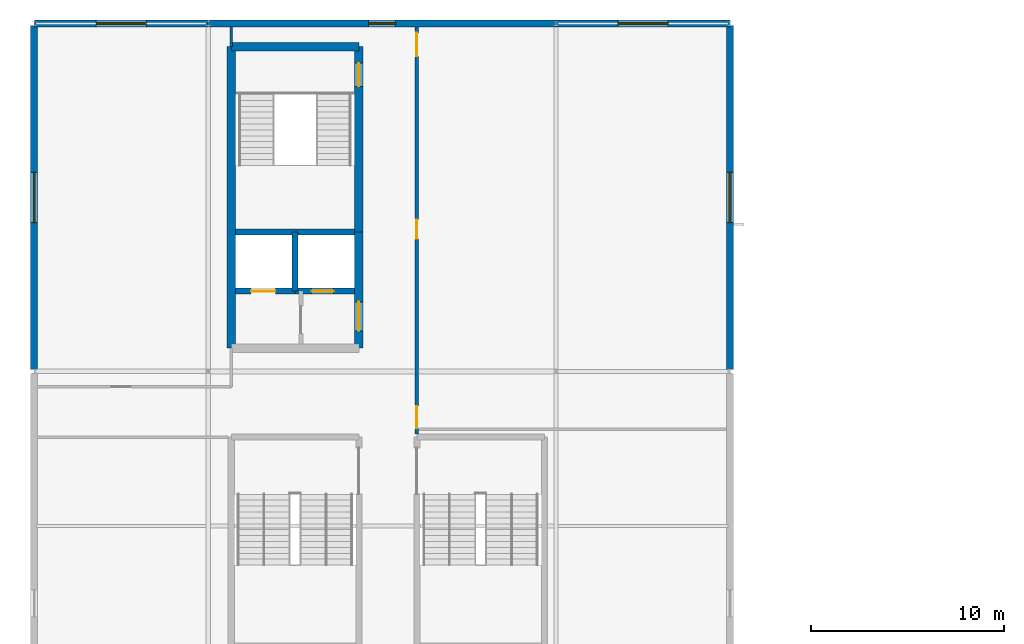
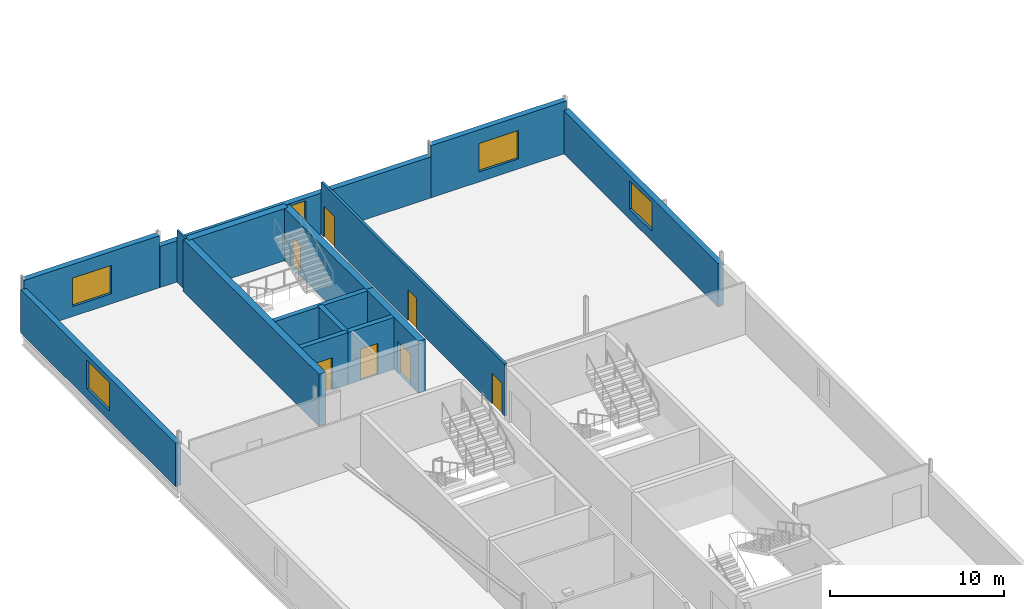
# One storey, part 21 of 35: 15 walls, 7 doors, 5 windows, 12 openings.
"""IFC4 building model written with IfcOpenShell, lengths in metres."""

from ifc_helpers import new_model, si_unit, direction, frame, frame_2d, origin, place, context, subcontext, project, spatial, rectangle, extrude, material, layer, layer_set, type_object, element, fill, save


model = new_model("IFC4")

# Units and contexts
model_context = context("Model", 3, precision=1e-05, world=origin(), true_north=direction((0.0, 1.0)))
body_context = subcontext(model_context, "Body", "Model", "MODEL_VIEW")
ifc_project = project(units=[si_unit("LENGTHUNIT", "METRE"), si_unit("AREAUNIT", "SQUARE_METRE"), si_unit("VOLUMEUNIT", "CUBIC_METRE"), si_unit("PLANEANGLEUNIT", "RADIAN"), si_unit("MASSUNIT", "GRAM", prefix="KILO")], contexts=[model_context])

# Site, building, storey
site_placement = place(None, origin())
site = spatial("IfcSite", under=ifc_project, at=site_placement, CompositionType="ELEMENT")
building_placement = place(site_placement, origin())
building = spatial("IfcBuilding", under=site, at=building_placement, Name="Kisiwana Market Hall", CompositionType="ELEMENT")
storey_placement = place(building_placement, frame((0.0, 0.0, 61.800048828125)))
storey = spatial("IfcBuildingStorey", under=building, at=storey_placement, Name="L14", CompositionType="ELEMENT", Elevation=61.800048828125)

# Walls
ifc_material_1 = material(Name="Concrete C40/50", Category="concrete")
ifc_layer_1 = layer(ifc_material_1, 0.320068359375, Name="Reinforced concrete shaft wall")
ifc_layer_set_1 = layer_set([ifc_layer_1], Name="WL-CORE-320")
wall_type_1 = type_object("IfcWallType", Name="WL-CORE-320", PredefinedType="SHEAR", material=ifc_layer_set_1)
wall_1_placement = place(storey_placement, frame((10.425048828125, 91.215087890625, 0.0), z_axis=(0.0, 0.0, 1.0), x_axis=(1.0, 0.0, 0.0)))
element("IfcWall", 1, at=wall_1_placement, inside=storey, type_object=wall_type_1, Name="Core W1 shaft back shear wall W-3213", PredefinedType="SHEAR", context=body_context, shape_type="SweptSolid", body=[
    extrude(rectangle(XDim=6.14990234375, YDim=0.320068359375, at=frame_2d((3.074951171875, 0.0))), origin(), (0.0, 0.0, 1.0), 3.655029296875),
])
wall_2_placement = place(storey_placement, frame((13.5, 88.155029296875, 0.0), z_axis=(0.0, 0.0, 1.0), x_axis=(0.0, 1.0, 0.0)))
element("IfcWall", 2, at=wall_2_placement, inside=storey, type_object=wall_type_1, Name="Core W1 inter-shaft shear wall W-3214", PredefinedType="SHEAR", context=body_context, shape_type="SweptSolid", body=[
    extrude(rectangle(XDim=3.06005859375, YDim=0.320068359375, at=frame_2d((1.530029296875, 0.0))), origin(), (0.0, 0.0, 1.0), 3.655029296875),
])

# Wall, opening, door
wall_3_placement = place(storey_placement, frame((10.425048828125, 88.155029296875, 0.0), z_axis=(0.0, 0.0, 1.0), x_axis=(1.0, 0.0, 0.0)))
wall_3 = element("IfcWall", 3, at=wall_3_placement, inside=storey, type_object=wall_type_1, Name="Core W1 west lift front wall W-3215", PredefinedType="SHEAR", context=body_context, shape_type="SweptSolid", body=[
    extrude(rectangle(XDim=3.074951171875, YDim=0.320068359375, at=frame_2d((1.53759765625, 0.0))), origin(), (0.0, 0.0, 1.0), 3.655029296875),
])
opening_1_placement = place(wall_3_placement, frame((0.800048828125, 0.0, 0.0)))
opening_1 = element("IfcOpeningElement", 4, at=opening_1_placement, cuts=wall_3, Name="Opening LD-L14-003", PredefinedType="OPENING", context=body_context, shape_type="SweptSolid", body=[
    extrude(rectangle(XDim=1.25, YDim=2.25, at=frame_2d((0.625, 1.125))), frame((0.0, 0.171875, 0.0), z_axis=(0.0, -1.0, 0.0), x_axis=(1.0, 0.0, 0.0)), (0.0, 0.0, 1.0), 0.343994140625),
])
ifc_material_2 = material(Name="Steel S275", Category="steel")
door_type_1 = type_object("IfcDoorType", Name="DR-LIFT-FFL-1250", OperationType="DOUBLE_DOOR_SLIDING", PredefinedType="DOOR", material=ifc_material_2)
door_1_placement = place(opening_1_placement, origin())
door_1 = element("IfcDoor", 5, at=door_1_placement, inside=storey, type_object=door_type_1, Name="Lift Landing Door FFL-02 (L14)", OperationType="DOUBLE_DOOR_SLIDING", OverallHeight=2.25, OverallWidth=1.25, PredefinedType="DOOR", context=body_context, shape_type="SweptSolid", body=[
    extrude(rectangle(XDim=1.25, YDim=2.25, at=frame_2d((0.625, 1.125))), frame((0.0, 0.02490234375, 0.0), z_axis=(0.0, -1.0, 0.0), x_axis=(1.0, 0.0, 0.0)), (0.0, 0.0, 1.0), 0.050048828125),
])
fill(opening_1, door_1)

wall_4_placement = place(storey_placement, frame((13.5, 88.155029296875, 0.0), z_axis=(0.0, 0.0, 1.0), x_axis=(1.0, 0.0, 0.0)))
wall_4 = element("IfcWall", 6, at=wall_4_placement, inside=storey, type_object=wall_type_1, Name="Core W1 east lift front wall W-3216", PredefinedType="SHEAR", context=body_context, shape_type="SweptSolid", body=[
    extrude(rectangle(XDim=3.074951171875, YDim=0.320068359375, at=frame_2d((1.53759765625, 0.0))), origin(), (0.0, 0.0, 1.0), 3.655029296875),
])
opening_2_placement = place(wall_4_placement, frame((0.85009765625, 0.0, 0.0)))
opening_2 = element("IfcOpeningElement", 7, at=opening_2_placement, cuts=wall_4, Name="Opening LD-L14-004", PredefinedType="OPENING", context=body_context, shape_type="SweptSolid", body=[
    extrude(rectangle(XDim=1.14990234375, YDim=2.199951171875, at=frame_2d((0.574951171875, 1.10009765625))), frame((0.0, 0.171875, 0.0), z_axis=(0.0, -1.0, 0.0), x_axis=(1.0, 0.0, 0.0)), (0.0, 0.0, 1.0), 0.343994140625),
])
ifc_material_3 = material(Name="Steel S275", Category="steel")
door_type_2 = type_object("IfcDoorType", Name="DR-LIFT-PAX-1150", OperationType="DOUBLE_DOOR_SLIDING", PredefinedType="DOOR", material=ifc_material_3)
door_2_placement = place(opening_2_placement, origin())
door_2 = element("IfcDoor", 8, at=door_2_placement, inside=storey, type_object=door_type_2, Name="Lift Landing Door LP-02 (L14)", OperationType="DOUBLE_DOOR_SLIDING", OverallHeight=2.199951171875, OverallWidth=1.14990234375, PredefinedType="DOOR", context=body_context, shape_type="SweptSolid", body=[
    extrude(rectangle(XDim=1.14990234375, YDim=2.199951171875, at=frame_2d((0.574951171875, 1.10009765625))), frame((0.0, 0.02490234375, 0.0), z_axis=(0.0, -1.0, 0.0), x_axis=(1.0, 0.0, 0.0)), (0.0, 0.0, 1.0), 0.050048828125),
])
fill(opening_2, door_2)

# Walls
ifc_material_4 = material(Name="Concrete C40/50", Category="concrete")
ifc_layer_2 = layer(ifc_material_4, 0.449951171875, Name="Reinforced concrete core wall")
ifc_layer_set_2 = layer_set([ifc_layer_2], Name="WL-CORE-450")
wall_type_2 = type_object("IfcWallType", Name="WL-CORE-450", PredefinedType="SHEAR", material=ifc_layer_set_2)
wall_5_placement = place(storey_placement, frame((10.199951171875, 100.800048828125, 0.0), z_axis=(0.0, 0.0, 1.0), x_axis=(1.0, 0.0, 0.0)))
element("IfcWall", 9, at=wall_5_placement, inside=storey, type_object=wall_type_2, Name="Core W1 north shear wall W-3209", PredefinedType="SHEAR", context=body_context, shape_type="SweptSolid", body=[
    extrude(rectangle(XDim=6.60009765625, YDim=0.449951171875, at=frame_2d((3.300048828125, 0.0))), origin(), (0.0, 0.0, 1.0), 3.655029296875),
])
wall_6_placement = place(storey_placement, frame((10.199951171875, 85.199951171875, 0.0), z_axis=(0.0, 0.0, 1.0), x_axis=(0.0, 1.0, 0.0)))
element("IfcWall", 10, at=wall_6_placement, inside=storey, type_object=wall_type_2, Name="Core W1 outer shear wall W-3210", PredefinedType="SHEAR", context=body_context, shape_type="SweptSolid", body=[
    extrude(rectangle(XDim=15.60009765625, YDim=0.449951171875, at=frame_2d((7.800048828125, 0.0))), origin(), (0.0, 0.0, 1.0), 3.655029296875),
])

# Wall, opening, door
wall_7_placement = place(storey_placement, frame((16.800048828125, 85.199951171875, 0.0), z_axis=(0.0, 0.0, 1.0), x_axis=(0.0, 1.0, 0.0)))
wall_7 = element("IfcWall", 11, at=wall_7_placement, inside=storey, type_object=wall_type_2, Name="Core W1 lobby corridor shear wall W-3211", PredefinedType="SHEAR", context=body_context, shape_type="SweptSolid", body=[
    extrude(rectangle(XDim=6.01513671875, YDim=0.449951171875, at=frame_2d((3.007568359375, 0.0))), origin(), (0.0, 0.0, 1.0), 3.655029296875),
])
opening_3_placement = place(wall_7_placement, frame((0.89990234375, 0.0, 0.0)))
opening_3 = element("IfcOpeningElement", 12, at=opening_3_placement, cuts=wall_7, Name="Opening DR-L14-004", PredefinedType="OPENING", context=body_context, shape_type="SweptSolid", body=[
    extrude(rectangle(XDim=1.5, YDim=2.199951171875, at=frame_2d((0.75, 1.10009765625))), frame((0.0, 0.23681640625, 0.0), z_axis=(0.0, -1.0, 0.0), x_axis=(1.0, 0.0, 0.0)), (0.0, 0.0, 1.0), 0.473876953125),
])
ifc_material_5 = material(Name="Steel S275", Category="steel")
door_type_3 = type_object("IfcDoorType", Name="DR-CORR-FD60-1500", OperationType="DOUBLE_DOOR_SINGLE_SWING", PredefinedType="DOOR", material=ifc_material_5)
door_3_placement = place(opening_3_placement, frame((1.5, 0.0, 0.0), z_axis=(0.0, 0.0, 1.0), x_axis=(-1.0, 0.0, 0.0)))
door_3 = element("IfcDoor", 13, at=door_3_placement, inside=storey, type_object=door_type_3, Name="Passenger Lift Lobby W1 Smoke Door (L14)", OperationType="DOUBLE_DOOR_SINGLE_SWING", OverallHeight=2.199951171875, OverallWidth=1.5, PredefinedType="DOOR", context=body_context, shape_type="SweptSolid", body=[
    extrude(rectangle(XDim=1.5, YDim=2.199951171875, at=frame_2d((0.75, 1.10009765625))), frame((0.0, 0.02490234375, 0.0), z_axis=(0.0, -1.0, 0.0), x_axis=(1.0, 0.0, 0.0)), (0.0, 0.0, 1.0), 0.050048828125),
])
fill(opening_3, door_3)

wall_8_placement = place(storey_placement, frame((16.800048828125, 91.215087890625, 0.0), z_axis=(0.0, 0.0, 1.0), x_axis=(0.0, 1.0, 0.0)))
wall_8 = element("IfcWall", 14, at=wall_8_placement, inside=storey, type_object=wall_type_2, Name="Core W1 stair corridor shear wall W-3212", PredefinedType="SHEAR", context=body_context, shape_type="SweptSolid", body=[
    extrude(rectangle(XDim=9.5849609375, YDim=0.449951171875, at=frame_2d((4.79248046875, 0.0))), origin(), (0.0, 0.0, 1.0), 3.655029296875),
])
opening_4_placement = place(wall_8_placement, frame((7.534912109375, 0.0, 0.0)))
opening_4 = element("IfcOpeningElement", 15, at=opening_4_placement, cuts=wall_8, Name="Opening DR-L14-005", PredefinedType="OPENING", context=body_context, shape_type="SweptSolid", body=[
    extrude(rectangle(XDim=1.199951171875, YDim=2.199951171875, at=frame_2d((0.60009765625, 1.10009765625))), frame((0.0, 0.23681640625, 0.0), z_axis=(0.0, -1.0, 0.0), x_axis=(1.0, 0.0, 0.0)), (0.0, 0.0, 1.0), 0.473876953125),
])
ifc_material_6 = material(Name="Steel S275", Category="steel")
door_type_4 = type_object("IfcDoorType", Name="DR-STAIR-FD120-1200", OperationType="NOTDEFINED", PredefinedType="DOOR", material=ifc_material_6)
door_4_placement = place(opening_4_placement, origin())
door_4 = element("IfcDoor", 16, at=door_4_placement, inside=storey, type_object=door_type_4, Name="Escape Stair W1 Fire Door (L14)", OperationType="SINGLE_SWING_RIGHT", OverallHeight=2.199951171875, OverallWidth=1.199951171875, PredefinedType="DOOR", context=body_context, shape_type="SweptSolid", body=[
    extrude(rectangle(XDim=1.199951171875, YDim=2.199951171875, at=frame_2d((0.60009765625, 1.10009765625))), frame((0.0, 0.02490234375, 0.0), z_axis=(0.0, -1.0, 0.0), x_axis=(1.0, 0.0, 0.0)), (0.0, 0.0, 1.0), 0.050048828125),
])
fill(opening_4, door_4)

# Wall, openings, doors
ifc_material_7 = material(Name="Masonry blockwork", Category="masonry")
ifc_layer_3 = layer(ifc_material_7, 0.169921875, Name="Protected corridor partition")
ifc_layer_set_3 = layer_set([ifc_layer_3], Name="WL-CORR-170")
wall_type_3 = type_object("IfcWallType", Name="WL-CORR-170", PredefinedType="PARTITIONING", material=ifc_layer_set_3)
wall_9_placement = place(storey_placement, frame((19.800048828125, 80.760009765625, 0.0), z_axis=(0.0, 0.0, 1.0), x_axis=(0.0, 1.0, 0.0)))
wall_9 = element("IfcWall", 17, at=wall_9_placement, inside=storey, type_object=wall_type_3, Name="Interior partition W-3331", PredefinedType="PARTITIONING", context=body_context, shape_type="SweptSolid", body=[
    extrude(rectangle(XDim=21.057373046875, YDim=0.169921875, at=frame_2d((10.52880859375, 0.0))), origin(), (0.0, 0.0, 1.0), 3.655029296875),
])
opening_5_placement = place(wall_9_placement, frame((10.10009765625, 0.0, 0.0)))
opening_5 = element("IfcOpeningElement", 18, at=opening_5_placement, cuts=wall_9, Name="Opening DR-L14-036", PredefinedType="OPENING", context=body_context, shape_type="SweptSolid", body=[
    extrude(rectangle(XDim=1.0, YDim=2.14990234375, at=frame_2d((0.5, 1.074951171875))), frame((0.0, 0.096923828125, 0.0), z_axis=(0.0, -1.0, 0.0), x_axis=(1.0, 0.0, 0.0)), (0.0, 0.0, 1.0), 0.19384765625),
])
opening_6_placement = place(wall_9_placement, frame((0.300048828125, 0.0, 0.0)))
opening_6 = element("IfcOpeningElement", 19, at=opening_6_placement, cuts=wall_9, Name="Opening DR-L14-037", PredefinedType="OPENING", context=body_context, shape_type="SweptSolid", body=[
    extrude(rectangle(XDim=1.14990234375, YDim=2.14990234375, at=frame_2d((0.574951171875, 1.074951171875))), frame((0.0, 0.096923828125, 0.0), z_axis=(0.0, -1.0, 0.0), x_axis=(1.0, 0.0, 0.0)), (0.0, 0.0, 1.0), 0.19384765625),
])
opening_7_placement = place(wall_9_placement, frame((19.5380859375, 0.0, 0.0)))
opening_7 = element("IfcOpeningElement", 20, at=opening_7_placement, cuts=wall_9, Name="Opening DR-L14-038", PredefinedType="OPENING", context=body_context, shape_type="SweptSolid", body=[
    extrude(rectangle(XDim=1.219970703125, YDim=2.14990234375, at=frame_2d((0.60986328125, 1.074951171875))), frame((0.0, 0.096923828125, 0.0), z_axis=(0.0, -1.0, 0.0), x_axis=(1.0, 0.0, 0.0)), (0.0, 0.0, 1.0), 0.19384765625),
])
ifc_material_8 = material(Name="Aluminium alloy 6063-T6", Category="aluminium")
door_type_5 = type_object("IfcDoorType", Name="DR-MEET-1150", OperationType="NOTDEFINED", PredefinedType="DOOR", material=ifc_material_8)
door_5_placement = place(opening_6_placement, frame((1.14990234375, 0.0, 0.0), z_axis=(0.0, 0.0, 1.0), x_axis=(-1.0, 0.0, 0.0)))
door_5 = element("IfcDoor", 21, at=door_5_placement, inside=storey, type_object=door_type_5, Name="L14 W Director Boardroom C2 Door", OperationType="SINGLE_SWING_RIGHT", OverallHeight=2.14990234375, OverallWidth=1.14990234375, PredefinedType="DOOR", context=body_context, shape_type="SweptSolid", body=[
    extrude(rectangle(XDim=1.14990234375, YDim=2.14990234375, at=frame_2d((0.574951171875, 1.074951171875))), frame((0.0, 0.02490234375, 0.0), z_axis=(0.0, -1.0, 0.0), x_axis=(1.0, 0.0, 0.0)), (0.0, 0.0, 1.0), 0.050048828125),
])
fill(opening_6, door_5)
ifc_material_9 = material(Name="Aluminium alloy 6063-T6", Category="aluminium")
door_type_6 = type_object("IfcDoorType", Name="DR-OFF-1000", OperationType="NOTDEFINED", PredefinedType="DOOR", material=ifc_material_9)
door_6_placement = place(opening_5_placement, frame((1.0, 0.0, 0.0), z_axis=(0.0, 0.0, 1.0), x_axis=(-1.0, 0.0, 0.0)))
door_6 = element("IfcDoor", 22, at=door_6_placement, inside=storey, type_object=door_type_6, Name="L14 W Executive Corner Suite C4 Door", OperationType="SINGLE_SWING_RIGHT", OverallHeight=2.14990234375, OverallWidth=1.0, PredefinedType="DOOR", context=body_context, shape_type="SweptSolid", body=[
    extrude(rectangle(XDim=1.0, YDim=2.14990234375, at=frame_2d((0.5, 1.074951171875))), frame((0.0, 0.02490234375, 0.0), z_axis=(0.0, -1.0, 0.0), x_axis=(1.0, 0.0, 0.0)), (0.0, 0.0, 1.0), 0.050048828125),
])
fill(opening_5, door_6)
ifc_material_10 = material(Name="Hardwood timber", Category="wood")
door_type_7 = type_object("IfcDoorType", Name="DR-STOR-FD60-1220", OperationType="NOTDEFINED", PredefinedType="DOOR", material=ifc_material_10)
door_7_placement = place(opening_7_placement, frame((1.219970703125, 0.0, 0.0), z_axis=(0.0, 0.0, 1.0), x_axis=(-1.0, 0.0, 0.0)))
door_7 = element("IfcDoor", 23, at=door_7_placement, inside=storey, type_object=door_type_7, Name="L14 W Legal Advisory Suite C3 Door", OperationType="SINGLE_SWING_LEFT", OverallHeight=2.14990234375, OverallWidth=1.219970703125, PredefinedType="DOOR", context=body_context, shape_type="SweptSolid", body=[
    extrude(rectangle(XDim=1.219970703125, YDim=2.14990234375, at=frame_2d((0.60986328125, 1.074951171875))), frame((0.0, 0.02490234375, 0.0), z_axis=(0.0, -1.0, 0.0), x_axis=(1.0, 0.0, 0.0)), (0.0, 0.0, 1.0), 0.050048828125),
])
fill(opening_7, door_7)

# Wall, opening, window
ifc_material_11 = material(Name="Concrete C40/50 precast", Category="concrete")
ifc_layer_4 = layer(ifc_material_11, 0.364990234375)
ifc_layer_set_4 = layer_set([ifc_layer_4], Name="WL-EXT-365")
wall_type_4 = type_object("IfcWallType", Name="WL-EXT-365", PredefinedType="STANDARD", material=ifc_layer_set_4)
wall_10_placement = place(storey_placement, frame((0.010009765625, 102.0, 0.0), z_axis=(0.0, 0.0, 1.0), x_axis=(1.0, 0.0, 0.0)))
wall_10 = element("IfcWall", 24, at=wall_10_placement, inside=storey, type_object=wall_type_4, Name="Exterior wall W-3289", PredefinedType="STANDARD", context=body_context, shape_type="SweptSolid", body=[
    extrude(rectangle(XDim=8.97998046875, YDim=0.364990234375, at=frame_2d((4.489990234375, 0.0))), origin(), (0.0, 0.0, 1.0), 3.655029296875),
])
opening_8_placement = place(wall_10_placement, frame((3.18994140625, 0.0, 0.699951171875)))
opening_8 = element("IfcOpeningElement", 25, at=opening_8_placement, cuts=wall_10, Name="Opening WN-13", PredefinedType="OPENING", context=body_context, shape_type="SweptSolid", body=[
    extrude(rectangle(XDim=2.60009765625, YDim=2.0, at=frame_2d((1.300048828125, 1.0))), frame((0.0, 0.1943359375, 0.0), z_axis=(0.0, -1.0, 0.0), x_axis=(1.0, 0.0, 0.0)), (0.0, 0.0, 1.0), 0.388916015625),
])
ifc_material_12 = material(Name="Double-glazed solar-control low-E IGU", Category="glass")
window_type_1 = type_object("IfcWindowType", Name="WN-OFFC-2600x2000", PartitioningType="SINGLE_PANEL", PredefinedType="WINDOW", material=ifc_material_12)
window_1_placement = place(opening_8_placement, origin())
window_1 = element("IfcWindow", 26, at=window_1_placement, inside=storey, type_object=window_type_1, Name="Exterior window WN-398", OverallHeight=2.0, OverallWidth=2.60009765625, PartitioningType="SINGLE_PANEL", PredefinedType="WINDOW", context=body_context, shape_type="SweptSolid", body=[
    extrude(rectangle(XDim=2.60009765625, YDim=2.0, at=frame_2d((1.300048828125, 1.0))), frame((0.0, 0.030029296875, 0.0), z_axis=(0.0, -1.0, 0.0), x_axis=(1.0, 0.0, 0.0)), (0.0, 0.0, 1.0), 0.06005859375),
])
fill(opening_8, window_1)

wall_11_placement = place(storey_placement, frame((9.010009765625, 102.0, 0.0), z_axis=(0.0, 0.0, 1.0), x_axis=(1.0, 0.0, 0.0)))
wall_11 = element("IfcWall", 27, at=wall_11_placement, inside=storey, type_object=wall_type_4, Name="Exterior wall W-3290", PredefinedType="STANDARD", context=body_context, shape_type="SweptSolid", body=[
    extrude(rectangle(XDim=17.97998046875, YDim=0.364990234375, at=frame_2d((8.989990234375, 0.0))), origin(), (0.0, 0.0, 1.0), 2.879638671875),
])
opening_9_placement = place(wall_11_placement, frame((8.2900390625, 0.0, 0.699951171875)))
opening_9 = element("IfcOpeningElement", 28, at=opening_9_placement, cuts=wall_11, Name="Opening WN-05", PredefinedType="OPENING", context=body_context, shape_type="SweptSolid", body=[
    extrude(rectangle(XDim=1.39990234375, YDim=2.0, at=frame_2d((0.699951171875, 1.0))), frame((0.0, 0.1943359375, 0.0), z_axis=(0.0, -1.0, 0.0), x_axis=(1.0, 0.0, 0.0)), (0.0, 0.0, 1.0), 0.388916015625),
])
ifc_material_13 = material(Name="Double-glazed solar-control low-E IGU", Category="glass")
window_type_2 = type_object("IfcWindowType", Name="WN-OFFC-1400x2000", PartitioningType="SINGLE_PANEL", PredefinedType="WINDOW", material=ifc_material_13)
window_2_placement = place(opening_9_placement, origin())
window_2 = element("IfcWindow", 29, at=window_2_placement, inside=storey, type_object=window_type_2, Name="Exterior window WN-384", OverallHeight=2.0, OverallWidth=1.39990234375, PartitioningType="SINGLE_PANEL", PredefinedType="WINDOW", context=body_context, shape_type="SweptSolid", body=[
    extrude(rectangle(XDim=1.39990234375, YDim=2.0, at=frame_2d((0.699951171875, 1.0))), frame((0.0, 0.030029296875, 0.0), z_axis=(0.0, -1.0, 0.0), x_axis=(1.0, 0.0, 0.0)), (0.0, 0.0, 1.0), 0.06005859375),
])
fill(opening_9, window_2)

wall_12_placement = place(storey_placement, frame((27.010009765625, 102.0, 0.0), z_axis=(0.0, 0.0, 1.0), x_axis=(1.0, 0.0, 0.0)))
wall_12 = element("IfcWall", 30, at=wall_12_placement, inside=storey, type_object=wall_type_4, Name="Exterior wall W-3291", PredefinedType="STANDARD", context=body_context, shape_type="SweptSolid", body=[
    extrude(rectangle(XDim=8.97998046875, YDim=0.364990234375, at=frame_2d((4.489990234375, 0.0))), origin(), (0.0, 0.0, 1.0), 3.655029296875),
])
opening_10_placement = place(wall_12_placement, frame((3.18994140625, 0.0, 0.699951171875)))
opening_10 = element("IfcOpeningElement", 31, at=opening_10_placement, cuts=wall_12, Name="Opening WN-13", PredefinedType="OPENING", context=body_context, shape_type="SweptSolid", body=[
    extrude(rectangle(XDim=2.60009765625, YDim=2.0, at=frame_2d((1.300048828125, 1.0))), frame((0.0, 0.1943359375, 0.0), z_axis=(0.0, -1.0, 0.0), x_axis=(1.0, 0.0, 0.0)), (0.0, 0.0, 1.0), 0.388916015625),
])
window_3_placement = place(opening_10_placement, origin())
window_3 = element("IfcWindow", 32, at=window_3_placement, inside=storey, type_object=window_type_1, Name="Exterior window WN-399", OverallHeight=2.0, OverallWidth=2.60009765625, PartitioningType="SINGLE_PANEL", PredefinedType="WINDOW", context=body_context, shape_type="SweptSolid", body=[
    extrude(rectangle(XDim=2.60009765625, YDim=2.0, at=frame_2d((1.300048828125, 1.0))), frame((0.0, 0.030029296875, 0.0), z_axis=(0.0, -1.0, 0.0), x_axis=(1.0, 0.0, 0.0)), (0.0, 0.0, 1.0), 0.06005859375),
])
fill(opening_10, window_3)

wall_13_placement = place(storey_placement, frame((0.0, 84.107666015625, 0.0), z_axis=(0.0, 0.0, 1.0), x_axis=(0.0, 1.0, 0.0)))
wall_13 = element("IfcWall", 33, at=wall_13_placement, inside=storey, type_object=wall_type_4, Name="Exterior wall W-3298", PredefinedType="STANDARD", context=body_context, shape_type="SweptSolid", body=[
    extrude(rectangle(XDim=17.78466796875, YDim=0.364990234375, at=frame_2d((8.892333984375, 0.0))), origin(), (0.0, 0.0, 1.0), 3.042724609375),
])
opening_11_placement = place(wall_13_placement, frame((7.59228515625, 0.0, 0.699951171875)))
opening_11 = element("IfcOpeningElement", 34, at=opening_11_placement, cuts=wall_13, Name="Opening WN-13", PredefinedType="OPENING", context=body_context, shape_type="SweptSolid", body=[
    extrude(rectangle(XDim=2.60009765625, YDim=2.0, at=frame_2d((1.300048828125, 1.0))), frame((0.0, 0.1943359375, 0.0), z_axis=(0.0, -1.0, 0.0), x_axis=(1.0, 0.0, 0.0)), (0.0, 0.0, 1.0), 0.388916015625),
])
window_4_placement = place(opening_11_placement, origin())
window_4 = element("IfcWindow", 35, at=window_4_placement, inside=storey, type_object=window_type_1, Name="Exterior window WN-403", OverallHeight=2.0, OverallWidth=2.60009765625, PartitioningType="SINGLE_PANEL", PredefinedType="WINDOW", context=body_context, shape_type="SweptSolid", body=[
    extrude(rectangle(XDim=2.60009765625, YDim=2.0, at=frame_2d((1.300048828125, 1.0))), frame((0.0, 0.030029296875, 0.0), z_axis=(0.0, -1.0, 0.0), x_axis=(1.0, 0.0, 0.0)), (0.0, 0.0, 1.0), 0.06005859375),
])
fill(opening_11, window_4)

wall_14_placement = place(storey_placement, frame((36.0, 84.107666015625, 0.0), z_axis=(0.0, 0.0, 1.0), x_axis=(0.0, 1.0, 0.0)))
wall_14 = element("IfcWall", 36, at=wall_14_placement, inside=storey, type_object=wall_type_4, Name="Exterior wall W-3302", PredefinedType="STANDARD", context=body_context, shape_type="SweptSolid", body=[
    extrude(rectangle(XDim=17.78466796875, YDim=0.364990234375, at=frame_2d((8.892333984375, 0.0))), origin(), (0.0, 0.0, 1.0), 3.02978515625),
])
opening_12_placement = place(wall_14_placement, frame((7.59228515625, 0.0, 0.699951171875)))
opening_12 = element("IfcOpeningElement", 37, at=opening_12_placement, cuts=wall_14, Name="Opening WN-13", PredefinedType="OPENING", context=body_context, shape_type="SweptSolid", body=[
    extrude(rectangle(XDim=2.60009765625, YDim=2.0, at=frame_2d((1.300048828125, 1.0))), frame((0.0, 0.1943359375, 0.0), z_axis=(0.0, -1.0, 0.0), x_axis=(1.0, 0.0, 0.0)), (0.0, 0.0, 1.0), 0.388916015625),
])
window_5_placement = place(opening_12_placement, origin())
window_5 = element("IfcWindow", 38, at=window_5_placement, inside=storey, type_object=window_type_1, Name="Exterior window WN-405", OverallHeight=2.0, OverallWidth=2.60009765625, PartitioningType="SINGLE_PANEL", PredefinedType="WINDOW", context=body_context, shape_type="SweptSolid", body=[
    extrude(rectangle(XDim=2.60009765625, YDim=2.0, at=frame_2d((1.300048828125, 1.0))), frame((0.0, 0.030029296875, 0.0), z_axis=(0.0, -1.0, 0.0), x_axis=(1.0, 0.0, 0.0)), (0.0, 0.0, 1.0), 0.06005859375),
])
fill(opening_12, window_5)

# Wall
ifc_material_14 = material(Name="Gypsum plasterboard")
ifc_layer_5 = layer(ifc_material_14, 0.125, Name="Double gypsum board + acoustic stud")
ifc_layer_set_5 = layer_set([ifc_layer_5], Name="WL-OFF-125")
wall_type_5 = type_object("IfcWallType", Name="WL-OFF-125", PredefinedType="PARTITIONING", material=ifc_layer_set_5)
wall_15_placement = place(storey_placement, frame((10.199951171875, 100.800048828125, 0.0), z_axis=(0.0, 0.0, 1.0), x_axis=(0.0, 1.0, 0.0)))
element("IfcWall", 39, at=wall_15_placement, inside=storey, type_object=wall_type_5, Name="Interior partition W-3322", PredefinedType="PARTITIONING", context=body_context, shape_type="SweptSolid", body=[
    extrude(rectangle(XDim=1.017333984375, YDim=0.125, at=frame_2d((0.5087890625, 0.0))), origin(), (0.0, 0.0, 1.0), 3.655029296875),
])

save(model, "model.ifc")
